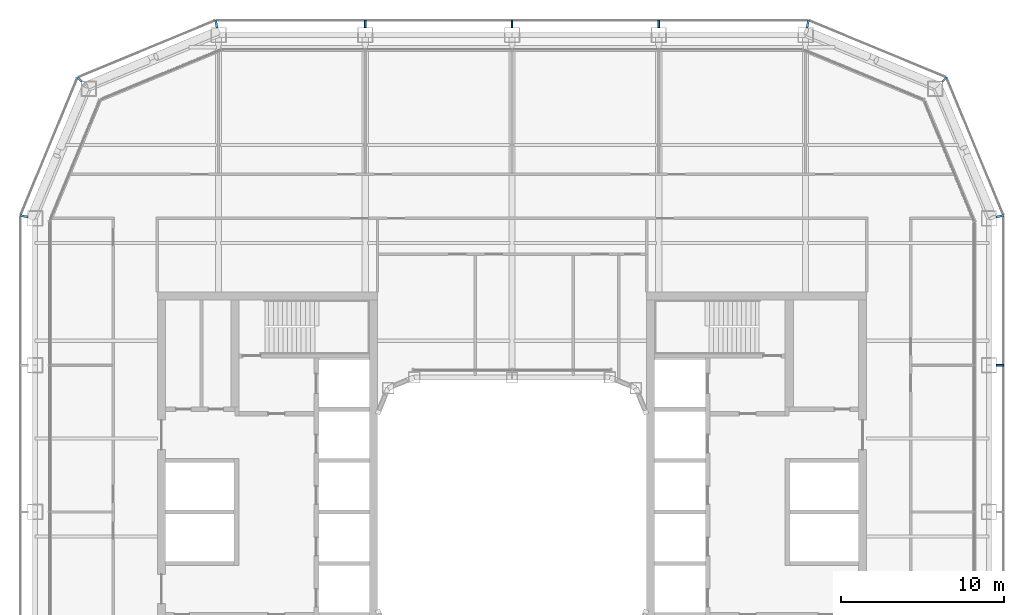
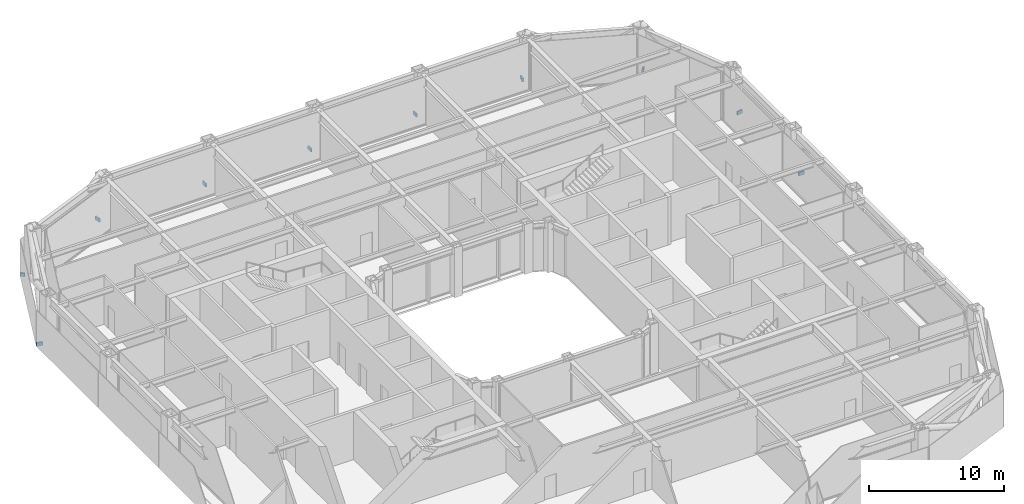
# One storey, part 16 of 21: 10 discrete accessories.
"""IFC4 building model written with IfcOpenShell, lengths in metres."""

from ifc_helpers import new_model, si_unit, direction, frame, origin, origin_2d, place, context, subcontext, project, spatial, rectangle, extrude, material, type_object, element, save


model = new_model("IFC4")

# Units and contexts
model_context = context("Model", 3, precision=1e-05, world=origin(), true_north=direction((0.0, 1.0)))
body_context = subcontext(model_context, "Body", "Model", "MODEL_VIEW")
ifc_project = project(units=[si_unit("LENGTHUNIT", "METRE"), si_unit("AREAUNIT", "SQUARE_METRE"), si_unit("VOLUMEUNIT", "CUBIC_METRE"), si_unit("PLANEANGLEUNIT", "RADIAN"), si_unit("MASSUNIT", "GRAM", prefix="KILO")], contexts=[model_context])

# Site, building, storey
site_placement = place(None, origin())
site = spatial("IfcSite", under=ifc_project, at=site_placement, CompositionType="ELEMENT")
building_placement = place(site_placement, origin())
building = spatial("IfcBuilding", under=site, at=building_placement, Name="Siwar Civic Tower", CompositionType="ELEMENT")
storey_placement = place(building_placement, frame((0.0, 0.0, 122.699951171875)))
storey = spatial("IfcBuildingStorey", under=building, at=storey_placement, Name="L26", CompositionType="ELEMENT", Elevation=122.699951171875)

# Discrete accessories
ifc_material = material(Name="Stainless steel 316", Category="steel")
discrete_accessory_type = type_object("IfcDiscreteAccessoryType", Name="ENV-BRACKET", PredefinedType="BRACKET", material=ifc_material)
for number, where, z_axis, x_axis, name in (
    (1, (29.9150390625, 9.0, -0.14990234375), (0.0, 0.0, 1.0), (1.0, 0.0, 0.0), "Bracket outer skin joint E-03"),
    (2, (9.0, 29.9150390625, -0.14990234375), (0.0, 0.0, 1.0), (0.0, 1.0, 0.0), "Bracket outer skin joint N-01"),
    (3, (0.0, 29.9150390625, -0.14990234375), (0.0, 0.0, 1.0), (0.0, 1.0, 0.0), "Bracket outer skin joint N-02"),
    (4, (-9.0, 29.9150390625, -0.14990234375), (0.0, 0.0, 1.0), (0.0, 1.0, 0.0), "Bracket outer skin joint N-03"),
):
    element("IfcDiscreteAccessory", number, at=place(storey_placement, frame(where, z_axis=z_axis, x_axis=x_axis)), inside=storey, type_object=discrete_accessory_type, Name=name, PredefinedType="BRACKET", context=body_context, shape_type="SweptSolid", body=[
        extrude(rectangle(XDim=0.469970703125, YDim=0.10009765625, at=origin_2d()), origin(), (0.0, 0.0, 1.0), 0.300048828125),
    ])
discrete_accessory_1_placement = place(storey_placement, frame((29.915283203125, 18.13232421875, -0.14990234375), z_axis=(0.0, 0.0, 1.0), x_axis=(0.980785280403, 0.195090322016, 0.0)))
element("IfcDiscreteAccessory", 5, at=discrete_accessory_1_placement, inside=storey, type_object=discrete_accessory_type, Name="Bracket outer skin joint V04", PredefinedType="BRACKET", context=body_context, shape_type="SweptSolid", body=[
    extrude(rectangle(XDim=0.478759765625, YDim=0.13720703125, at=origin_2d()), origin(), (0.0, 0.0, 1.0), 0.300048828125),
])
discrete_accessory_2_placement = place(storey_placement, frame((26.517333984375, 26.517333984375, -0.14990234375), z_axis=(0.0, 0.0, 1.0), x_axis=(0.707106781187, 0.707106781187, 0.0)))
element("IfcDiscreteAccessory", 6, at=discrete_accessory_2_placement, inside=storey, type_object=discrete_accessory_type, Name="Bracket outer skin joint V05", PredefinedType="BRACKET", context=body_context, shape_type="SweptSolid", body=[
    extrude(rectangle(XDim=0.357666015625, YDim=0.12939453125, at=origin_2d()), origin(), (0.0, 0.0, 1.0), 0.300048828125),
])
for number, where, z_axis, x_axis, name in (
    (7, (18.13232421875, 29.915283203125, -0.14990234375), (0.0, 0.0, 1.0), (0.195090322016, 0.980785280403, 0.0), "Bracket outer skin joint V06"),
    (8, (-18.13232421875, 29.915283203125, -0.14990234375), (0.0, 0.0, 1.0), (-0.195090322016, 0.980785280403, 0.0), "Bracket outer skin joint V07"),
):
    element("IfcDiscreteAccessory", number, at=place(storey_placement, frame(where, z_axis=z_axis, x_axis=x_axis)), inside=storey, type_object=discrete_accessory_type, Name=name, PredefinedType="BRACKET", context=body_context, shape_type="SweptSolid", body=[
        extrude(rectangle(XDim=0.478759765625, YDim=0.13720703125, at=origin_2d()), origin(), (0.0, 0.0, 1.0), 0.300048828125),
    ])
discrete_accessory_3_placement = place(storey_placement, frame((-26.517333984375, 26.517333984375, -0.14990234375), z_axis=(0.0, 0.0, 1.0), x_axis=(-0.707106781187, 0.707106781187, 0.0)))
element("IfcDiscreteAccessory", 9, at=discrete_accessory_3_placement, inside=storey, type_object=discrete_accessory_type, Name="Bracket outer skin joint V08", PredefinedType="BRACKET", context=body_context, shape_type="SweptSolid", body=[
    extrude(rectangle(XDim=0.357666015625, YDim=0.12939453125, at=origin_2d()), origin(), (0.0, 0.0, 1.0), 0.300048828125),
])
discrete_accessory_4_placement = place(storey_placement, frame((-29.915283203125, 18.13232421875, -0.14990234375), z_axis=(0.0, 0.0, 1.0), x_axis=(-0.980785280403, 0.195090322016, 0.0)))
element("IfcDiscreteAccessory", 10, at=discrete_accessory_4_placement, inside=storey, type_object=discrete_accessory_type, Name="Bracket outer skin joint V09", PredefinedType="BRACKET", context=body_context, shape_type="SweptSolid", body=[
    extrude(rectangle(XDim=0.478759765625, YDim=0.13720703125, at=origin_2d()), origin(), (0.0, 0.0, 1.0), 0.300048828125),
])

save(model, "model.ifc")
